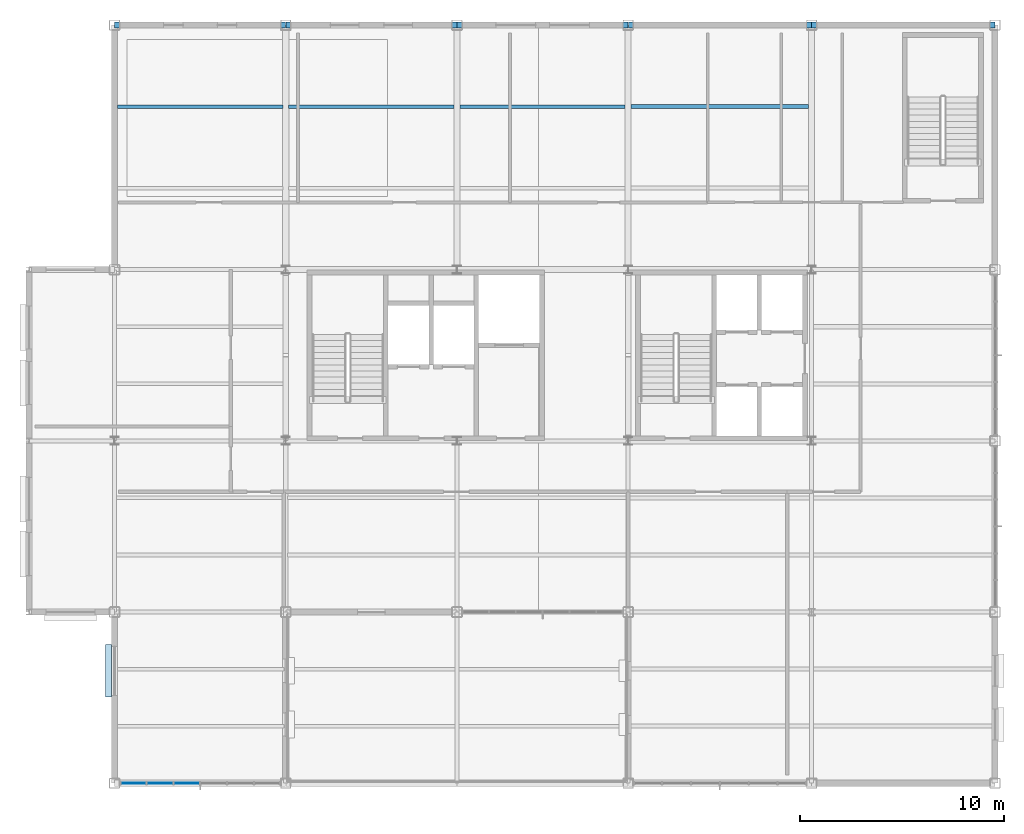
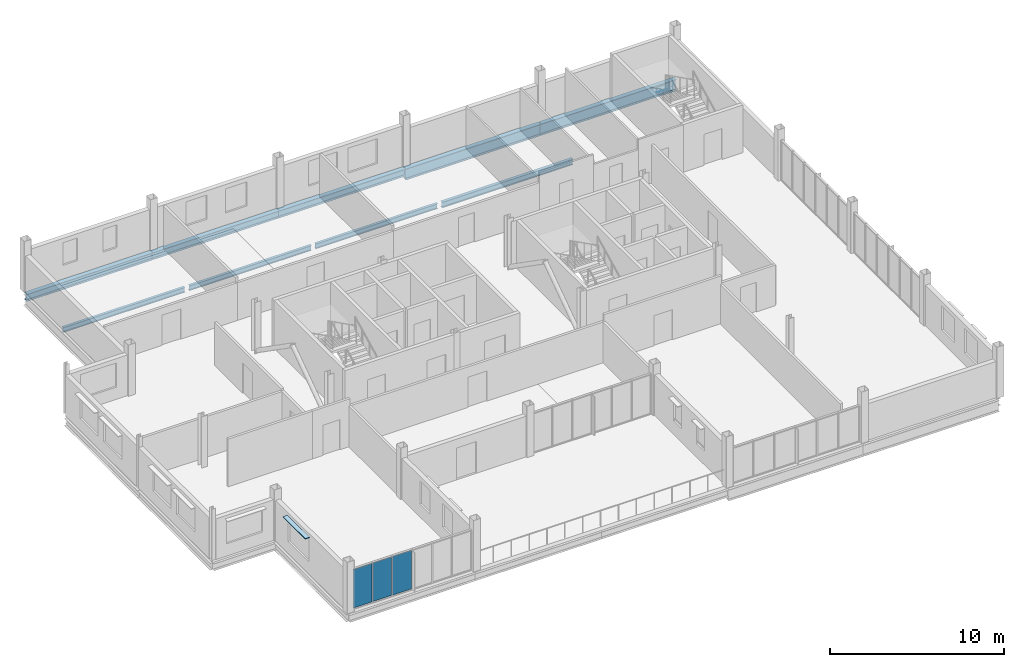
# One storey, part 9 of 20: 9 beams, 4 plates, 1 element without a shape of its own.
"""IFC4 building model written with IfcOpenShell, lengths in metres."""

import ifcopenshell
import ifcopenshell.guid

model = None  # the IFC model being written
_history = None  # IfcOwnerHistory: only IFC2X3 demands one
_inside = {}  # id of a spatial element -> (the spatial element, [elements in it])
_under = {}  # id of a project, library or spatial element -> (it, [spatial elements below it])
_declared = {}  # id of a project -> (the project, [libraries it declares])
_typed = {}  # id of a type object -> (the type object, [elements of that type])
_made_of = {}  # id of a material, layer set ... -> (it, [elements and type objects made of it])


def new_model(schema):
    """Start an empty IFC model of exactly this schema.

    Asked for "IFC4X3", IfcOpenShell would pick the latest addendum, in which some entities
    have other attributes; the version numbers below select the first issue.
    IFC2X3 requires an IfcOwnerHistory on every rooted entity: one is made here for all.
    """
    global model, _history
    if schema == "IFC4X3":
        model = ifcopenshell.file(schema_version=(4, 3, 0, 0))
    else:
        model = ifcopenshell.file(schema=schema)
    _inside.clear()
    _under.clear()
    _declared.clear()
    _typed.clear()
    _made_of.clear()
    _history = None
    if model.schema == "IFC2X3":
        org = make("IfcOrganization", Name="unknown")
        user = make(
            "IfcPersonAndOrganization",
            ThePerson=make("IfcPerson", FamilyName="unknown"),
            TheOrganization=org,
        )
        app = make(
            "IfcApplication",
            ApplicationDeveloper=org,
            Version="unknown",
            ApplicationFullName="unknown",
            ApplicationIdentifier="unknown",
        )
        _history = make(
            "IfcOwnerHistory",
            OwningUser=user,
            OwningApplication=app,
            ChangeAction="ADDED",
            CreationDate=0,
        )
    return model


def make(cls, **values):
    """One entity of the class cls with the attributes given. An attribute that is None is left unset."""
    return model.create_entity(
        cls, **{name: value for name, value in values.items() if value is not None}
    )


def rooted(cls, **values):
    """An entity with a GlobalId (a new one), such as an element, a storey or a relation."""
    return make(cls, GlobalId=ifcopenshell.guid.new(), OwnerHistory=_history, **values)


def si_unit(unit_type, name, prefix=None):
    """IfcSIUnit, for example si_unit("LENGTHUNIT", "METRE", prefix="MILLI")."""
    return make("IfcSIUnit", UnitType=unit_type, Prefix=prefix, Name=name)


def assignment(units):
    """IfcUnitAssignment: the units of a project."""
    return None if units is None else make("IfcUnitAssignment", Units=units)


def point(xyz):
    """IfcCartesianPoint."""
    return None if xyz is None else make("IfcCartesianPoint", Coordinates=xyz)


def direction(xyz):
    """IfcDirection."""
    return None if xyz is None else make("IfcDirection", DirectionRatios=xyz)


def frame(location, z_axis=None, x_axis=None):
    """IfcAxis2Placement3D, a coordinate frame: its origin and axes. An axis left out is left unset."""
    return make(
        "IfcAxis2Placement3D",
        Location=point(location),
        Axis=direction(z_axis),
        RefDirection=direction(x_axis),
    )


def frame_2d(location, x_axis=None):
    """IfcAxis2Placement2D, a coordinate frame in the plane: its origin and x axis."""
    return make(
        "IfcAxis2Placement2D", Location=point(location), RefDirection=direction(x_axis)
    )


def origin():
    """The frame at (0, 0, 0) with its axes left unset."""
    return frame((0.0, 0.0, 0.0))


def origin_2d():
    """The frame at (0, 0) in the plane with its x axis left unset."""
    return frame_2d((0.0, 0.0))


def place(relative_to, where):
    """IfcLocalPlacement: puts the frame where relative to a parent placement (None: the world)."""
    return make(
        "IfcLocalPlacement", PlacementRelTo=relative_to, RelativePlacement=where
    )


def context(
    kind, dimensions, precision=None, world=None, true_north=None, identifier=None
):
    """IfcGeometricRepresentationContext, for example the 3D "Model" context."""
    return make(
        "IfcGeometricRepresentationContext",
        ContextIdentifier=identifier,
        ContextType=kind,
        CoordinateSpaceDimension=dimensions,
        Precision=precision,
        WorldCoordinateSystem=world,
        TrueNorth=true_north,
    )


def subcontext(parent, identifier, kind, view, scale=None):
    """IfcGeometricRepresentationSubContext, for example "Body" below "Model"."""
    return make(
        "IfcGeometricRepresentationSubContext",
        ContextIdentifier=identifier,
        ContextType=kind,
        ParentContext=parent,
        TargetScale=scale,
        TargetView=view,
    )


def project(units=None, contexts=None):
    """IfcProject with its units and contexts."""
    return rooted(
        "IfcProject",
        Name="project",
        RepresentationContexts=contexts,
        UnitsInContext=assignment(units),
    )


def spatial(cls, under=None, at=None, **own):
    """A site, building, storey or space (cls), placed at a placement, below another one or the project."""
    s = rooted(cls, ObjectPlacement=at, **own)
    if under is not None:
        _under.setdefault(under.id(), (under, []))[1].append(s)
    return s


def profile(cls, at=None, kind="AREA", **sizes):
    """A parametric profile (cls). Its sizes go by their IFC names, for example OverallWidth=200.0."""
    return make(cls, ProfileType=kind, Position=at, **sizes)


def rectangle(**sizes):
    """IfcRectangleProfileDef."""
    return profile("IfcRectangleProfileDef", **sizes)


def i_section(**sizes):
    """IfcIShapeProfileDef."""
    return profile("IfcIShapeProfileDef", **sizes)


def extrude(swept, where, along, depth):
    """IfcExtrudedAreaSolid: the profile swept, set in the frame where, extruded along a direction by depth."""
    return make(
        "IfcExtrudedAreaSolid",
        SweptArea=swept,
        Position=where,
        ExtrudedDirection=direction(along),
        Depth=depth,
    )


def shape(context_of_items, identifier, shape_type, items):
    """IfcShapeRepresentation: the items that make up one representation, for example the "Body"."""
    return make(
        "IfcShapeRepresentation",
        ContextOfItems=context_of_items,
        RepresentationIdentifier=identifier,
        RepresentationType=shape_type,
        Items=items,
    )


def material(Name=None, Category=None):
    """IfcMaterial."""
    return make("IfcMaterial", Name=Name, Category=Category)


def layer(
    of_material, thickness, ventilated=None, Name=None, Category=None, Priority=None
):
    """IfcMaterialLayer: one layer of a wall or slab, of a material (None: an air gap)."""
    return make(
        "IfcMaterialLayer",
        Material=of_material,
        LayerThickness=thickness,
        IsVentilated=ventilated,
        Name=Name,
        Category=Category,
        Priority=Priority,
    )


def layer_set(layers, Name=None):
    """IfcMaterialLayerSet."""
    return make("IfcMaterialLayerSet", MaterialLayers=layers, LayerSetName=Name)


def material_profile(
    of_material, cross_section, Name=None, Category=None, Priority=None
):
    """IfcMaterialProfile: a cross section and its material."""
    return make(
        "IfcMaterialProfile",
        Name=Name,
        Material=of_material,
        Profile=cross_section,
        Priority=Priority,
        Category=Category,
    )


def profile_set(profiles, Name=None, composite=None):
    """IfcMaterialProfileSet."""
    return make(
        "IfcMaterialProfileSet",
        Name=Name,
        MaterialProfiles=profiles,
        CompositeProfile=composite,
    )


def made_of(thing, what):
    """Note that an element or type object is made of a material, layer set ...; save() writes the relation."""
    if what is not None:
        _made_of.setdefault(what.id(), (what, []))[1].append(thing)
    return thing


def type_object(cls, material=None, **own):
    """A type object (cls), such as IfcWallType, which elements share."""
    return made_of(rooted(cls, **own), material)


def element(
    cls,
    number,
    at=None,
    inside=None,
    cuts=None,
    type_object=None,
    material=None,
    context=None,
    identifier="Body",
    shape_type=None,
    held_by="IfcProductDefinitionShape",
    body=None,
    shapes=None,
    **own,
):
    """One element of the class cls, such as IfcWall. Its Tag is "e" and its number.

    at: its placement. inside: the storey or other place that contains it. cuts: it is an
    opening in that element (IfcRelVoidsElement). A single representation is given by context,
    identifier, shape_type and body (its items); several are given by shapes. held_by: the class
    of the entity that holds the representations. save() writes the other relations.
    """
    e = rooted(cls, Tag="e%d" % number, ObjectPlacement=at, **own)
    if body is not None:
        shapes = [shape(context, identifier, shape_type, body)]
    if shapes is not None:
        e.Representation = make(held_by, Representations=shapes)
    if inside is not None:
        _inside.setdefault(inside.id(), (inside, []))[1].append(e)
    if cuts is not None:
        rooted(
            "IfcRelVoidsElement", RelatingBuildingElement=cuts, RelatedOpeningElement=e
        )
    if type_object is not None:
        _typed.setdefault(type_object.id(), (type_object, []))[1].append(e)
    return made_of(e, material)


def aggregate(whole, parts):
    """IfcRelAggregates: a whole, such as a stair, and the parts it consists of."""
    return rooted("IfcRelAggregates", RelatingObject=whole, RelatedObjects=parts)


def save(model, path):
    """Write the relations noted so far, then the file.

    IfcRelAggregates (storeys below a building ...), IfcRelContainedInSpatialStructure (elements
    in a storey), IfcRelDefinesByType, IfcRelAssociatesMaterial and IfcRelDeclares: one each for
    every whole, place, type object, material and project.
    """
    for whole, parts in _under.values():
        aggregate(whole, parts)
    for where, things in _inside.values():
        rooted(
            "IfcRelContainedInSpatialStructure",
            RelatedElements=things,
            RelatingStructure=where,
        )
    for kind, things in _typed.values():
        rooted("IfcRelDefinesByType", RelatedObjects=things, RelatingType=kind)
    for what, things in _made_of.values():
        rooted("IfcRelAssociatesMaterial", RelatedObjects=things, RelatingMaterial=what)
    for by, libraries in _declared.values():
        rooted("IfcRelDeclares", RelatingContext=by, RelatedDefinitions=libraries)
    model.write(path)


model = new_model("IFC4")

# Units and contexts
model_context = context("Model", 3, precision=1e-05, world=origin(), true_north=direction((0.0, 1.0)))
body_context = subcontext(model_context, "Body", "Model", "MODEL_VIEW")
ifc_project = project(units=[si_unit("LENGTHUNIT", "METRE"), si_unit("AREAUNIT", "SQUARE_METRE"), si_unit("VOLUMEUNIT", "CUBIC_METRE"), si_unit("PLANEANGLEUNIT", "RADIAN"), si_unit("MASSUNIT", "GRAM", prefix="KILO")], contexts=[model_context])

# Site, building, storey
site_placement = place(None, origin())
site = spatial("IfcSite", under=ifc_project, at=site_placement, CompositionType="ELEMENT")
building_placement = place(site_placement, origin())
building = spatial("IfcBuilding", under=site, at=building_placement, Name="Yukiwa Park Conservatory and Herbarium", CompositionType="ELEMENT")
storey_placement = place(building_placement, frame((0.0, 0.0, 28.199951171875)))
storey = spatial("IfcBuildingStorey", under=building, at=storey_placement, Name="L07", CompositionType="ELEMENT", Elevation=28.199951171875)

# Beams
ifc_material_1 = material(Name="Steel Q355D", Category="steel")
ifc_material_profile_1 = material_profile(ifc_material_1, i_section(OverallWidth=0.175048828125, OverallDepth=0.35009765625, WebThickness=0.007080078125, FlangeThickness=0.010986328125, FilletRadius=0.013916015625, at=origin_2d()), Name="HN 350x175x7x11")
ifc_profile_set_1 = profile_set([ifc_material_profile_1], Name="Steel Q355D")
beam_type_1 = type_object("IfcBeamType", Name="BM-JST-HN350", PredefinedType="JOIST", material=ifc_profile_set_1)
beam_1_placement = place(storey_placement, frame((124.946044921875, 111.199951171875, -0.429931640625), z_axis=(1.0, 0.0, 0.0), x_axis=(0.0, 1.0, 0.0)))
element("IfcBeam", 1, at=beam_1_placement, inside=storey, type_object=beam_type_1, Name="L07 composite floor joist 8", PredefinedType="JOIST", context=body_context, shape_type="SweptSolid", body=[
    extrude(i_section(OverallWidth=0.175048828125, OverallDepth=0.35009765625, WebThickness=0.007080078125, FlangeThickness=0.010986328125, FilletRadius=0.013916015625, at=origin_2d()), origin(), (0.0, 0.0, 1.0), 8.10791015625),
])
beam_2_placement = place(storey_placement, frame((133.345947265625, 111.199951171875, -0.429931640625), z_axis=(1.0, 0.0, 0.0), x_axis=(0.0, 1.0, 0.0)))
element("IfcBeam", 2, at=beam_2_placement, inside=storey, type_object=beam_type_1, Name="L07 composite floor joist 14", PredefinedType="JOIST", context=body_context, shape_type="SweptSolid", body=[
    extrude(i_section(OverallWidth=0.175048828125, OverallDepth=0.35009765625, WebThickness=0.007080078125, FlangeThickness=0.010986328125, FilletRadius=0.013916015625, at=origin_2d()), origin(), (0.0, 0.0, 1.0), 8.108154296875),
])
beam_3_placement = place(storey_placement, frame((141.74609375, 111.199951171875, -0.429931640625), z_axis=(1.0, 0.0, 0.0), x_axis=(0.0, 1.0, 0.0)))
element("IfcBeam", 3, at=beam_3_placement, inside=storey, type_object=beam_type_1, Name="L07 composite floor joist 20", PredefinedType="JOIST", context=body_context, shape_type="SweptSolid", body=[
    extrude(i_section(OverallWidth=0.175048828125, OverallDepth=0.35009765625, WebThickness=0.007080078125, FlangeThickness=0.010986328125, FilletRadius=0.013916015625, at=origin_2d()), origin(), (0.0, 0.0, 1.0), 8.10791015625),
])
ifc_material_2 = material(Name="Steel Q355D", Category="steel")
ifc_material_profile_2 = material_profile(ifc_material_2, i_section(OverallWidth=0.199951171875, OverallDepth=0.39990234375, WebThickness=0.008056640625, FlangeThickness=0.012939453125, FilletRadius=0.01611328125, at=origin_2d()), Name="HN 400x200x8x13")
ifc_profile_set_2 = profile_set([ifc_material_profile_2], Name="Steel Q355D")
beam_type_2 = type_object("IfcBeamType", Name="BM-JST-HN400", PredefinedType="JOIST", material=ifc_profile_set_2)
beam_4_placement = place(storey_placement, frame((150.14599609375, 111.199951171875, -0.454833984375), z_axis=(1.0, 0.0, 0.0), x_axis=(0.0, 1.0, 0.0)))
element("IfcBeam", 4, at=beam_4_placement, inside=storey, type_object=beam_type_2, Name="L07 composite floor joist 26", PredefinedType="JOIST", context=body_context, shape_type="SweptSolid", body=[
    extrude(i_section(OverallWidth=0.199951171875, OverallDepth=0.39990234375, WebThickness=0.008056640625, FlangeThickness=0.012939453125, FilletRadius=0.01611328125, at=origin_2d()), origin(), (0.0, 0.0, 1.0), 8.7080078125),
])
ifc_material_3 = material(Name="Steel Q355D", Category="steel")
ifc_material_profile_3 = material_profile(ifc_material_3, i_section(OverallWidth=0.300048828125, OverallDepth=0.5, WebThickness=0.010986328125, FlangeThickness=0.01806640625, FilletRadius=0.02392578125, at=origin_2d()), Name="HM 500x300x11x18")
ifc_profile_set_3 = profile_set([ifc_material_profile_3], Name="Steel Q355D")
beam_type_3 = type_object("IfcBeamType", Name="BM-SPN-HN500", PredefinedType="SPANDREL", material=ifc_profile_set_3)
beam_5_placement = place(storey_placement, frame((124.805908203125, 115.199951171875, -0.5048828125), z_axis=(1.0, 0.0, 0.0), x_axis=(0.0, 1.0, 0.0)))
element("IfcBeam", 5, at=beam_5_placement, inside=storey, type_object=beam_type_3, Name="L07 spandrel beam X-24", PredefinedType="SPANDREL", context=body_context, shape_type="SweptSolid", body=[
    extrude(i_section(OverallWidth=0.300048828125, OverallDepth=0.5, WebThickness=0.010986328125, FlangeThickness=0.01806640625, FilletRadius=0.02392578125, at=origin_2d()), origin(), (0.0, 0.0, 1.0), 8.38818359375),
])
for number, where, z_axis, x_axis, name in (
    (6, (133.2060546875, 115.199951171875, -0.5048828125), (1.0, 0.0, 0.0), (0.0, 1.0, 0.0), "L07 spandrel beam X-25"),
    (7, (141.60595703125, 115.199951171875, -0.5048828125), (1.0, 0.0, 0.0), (0.0, 1.0, 0.0), "L07 spandrel beam X-26"),
):
    element("IfcBeam", number, at=place(storey_placement, frame(where, z_axis=z_axis, x_axis=x_axis)), inside=storey, type_object=beam_type_3, Name=name, PredefinedType="SPANDREL", context=body_context, shape_type="SweptSolid", body=[
        extrude(i_section(OverallWidth=0.300048828125, OverallDepth=0.5, WebThickness=0.010986328125, FlangeThickness=0.01806640625, FilletRadius=0.02392578125, at=origin_2d()), origin(), (0.0, 0.0, 1.0), 8.387939453125),
    ])
ifc_material_4 = material(Name="Steel Q355D", Category="steel")
ifc_material_profile_4 = material_profile(ifc_material_4, i_section(OverallWidth=0.300048828125, OverallDepth=0.7919921875, WebThickness=0.013916015625, FlangeThickness=0.02197265625, FilletRadius=0.028076171875, at=origin_2d()), Name="HN 792x300x14x22")
ifc_profile_set_4 = profile_set([ifc_material_profile_4], Name="Steel Q355D")
beam_type_4 = type_object("IfcBeamType", Name="BM-SPN-HN600", PredefinedType="SPANDREL", material=ifc_profile_set_4)
for number, where, z_axis, x_axis, name in (
    (8, (150.006103515625, 115.199951171875, -0.65087890625), (1.0, 0.0, 0.0), (0.0, 1.0, 0.0), "L07 spandrel beam X-27"),
    (9, (159.006103515625, 115.199951171875, -0.65087890625), (1.0, 0.0, 0.0), (0.0, 1.0, 0.0), "L07 spandrel beam X-28"),
):
    element("IfcBeam", number, at=place(storey_placement, frame(where, z_axis=z_axis, x_axis=x_axis)), inside=storey, type_object=beam_type_4, Name=name, PredefinedType="SPANDREL", context=body_context, shape_type="SweptSolid", body=[
        extrude(i_section(OverallWidth=0.300048828125, OverallDepth=0.7919921875, WebThickness=0.013916015625, FlangeThickness=0.02197265625, FilletRadius=0.028076171875, at=origin_2d()), origin(), (0.0, 0.0, 1.0), 8.98779296875),
    ])

# Curtain wall, plates
ifc_material_5 = material(Name="Triple Low-E Insulated Glass", Category="glass")
ifc_layer_1 = layer(ifc_material_5, 0.248046875)
ifc_layer_set_1 = layer_set([ifc_layer_1], Name="Triple Low-E Insulated Glass")
curtain_wall_type = type_object("IfcCurtainWallType", Name="CW-TOWER-LAB-S-1400", PredefinedType="NOTDEFINED", material=ifc_layer_set_1)
curtain_wall_placement = place(storey_placement, origin())
curtain_wall = element("IfcCurtainWall", 10, at=curtain_wall_placement, inside=storey, type_object=curtain_wall_type, Name="L07 unitised curtain wall CW-L07-088", PredefinedType="NOTDEFINED")
ifc_material_6 = material(Name="Triple Low-E Insulated Glass", Category="glass")
ifc_layer_2 = layer(ifc_material_6, 0.035888671875)
ifc_layer_set_2 = layer_set([ifc_layer_2], Name="Triple Low-E Insulated Glass")
plate_type_1 = type_object("IfcPlateType", Name="PL-CW-GLZ-36", PredefinedType="CURTAIN_PANEL", material=ifc_layer_set_2)
plate_1_placement = place(storey_placement, frame((125.708251953125, 78.0, 0.070068359375), z_axis=(0.0, 0.0, 1.0), x_axis=(1.0, 0.0, 0.0)))
plate_1 = element("IfcPlate", 11, at=plate_1_placement, type_object=plate_type_1, Name="CW-L07-088 vision panel 1.1", PredefinedType="CURTAIN_PANEL", context=body_context, shape_type="SweptSolid", body=[
    extrude(rectangle(XDim=1.24658203125, YDim=0.035888671875, at=origin_2d()), origin(), (0.0, 0.0, 1.0), 2.7119140625),
])
plate_2_placement = place(storey_placement, frame((127.02490234375, 78.0, 0.070068359375), z_axis=(0.0, 0.0, 1.0), x_axis=(1.0, 0.0, 0.0)))
plate_2 = element("IfcPlate", 12, at=plate_2_placement, type_object=plate_type_1, Name="CW-L07-088 vision panel 2.1", PredefinedType="CURTAIN_PANEL", context=body_context, shape_type="SweptSolid", body=[
    extrude(rectangle(XDim=1.24658203125, YDim=0.035888671875, at=origin_2d()), origin(), (0.0, 0.0, 1.0), 2.7119140625),
])
plate_3_placement = place(storey_placement, frame((128.341796875, 78.0, 0.070068359375), z_axis=(0.0, 0.0, 1.0), x_axis=(1.0, 0.0, 0.0)))
plate_3 = element("IfcPlate", 13, at=plate_3_placement, type_object=plate_type_1, Name="CW-L07-088 vision panel 3.1", PredefinedType="CURTAIN_PANEL", context=body_context, shape_type="SweptSolid", body=[
    extrude(rectangle(XDim=1.24658203125, YDim=0.035888671875, at=origin_2d()), origin(), (0.0, 0.0, 1.0), 2.7119140625),
])
aggregate(curtain_wall, [plate_1, plate_2, plate_3])

# Plate
ifc_material_7 = material(Name="Anodised Aluminium", Category="aluminium")
ifc_layer_3 = layer(ifc_material_7, 0.0400390625)
ifc_layer_set_3 = layer_set([ifc_layer_3], Name="Anodised Aluminium")
plate_type_2 = type_object("IfcPlateType", Name="PL-SHADE-ALU-40", PredefinedType="SHEET", material=ifc_layer_set_3)
plate_4_placement = place(storey_placement, frame((124.510009765625, 83.51708984375, 2.590087890625), z_axis=(0.0, 0.0, 1.0), x_axis=(0.0, -1.0, 0.0)))
element("IfcPlate", 14, at=plate_4_placement, inside=storey, type_object=plate_type_2, Name="L07 snow-shedding window hood 154", PredefinedType="SHEET", context=body_context, shape_type="SweptSolid", body=[
    extrude(rectangle(XDim=2.56005859375, YDim=0.300048828125, at=origin_2d()), origin(), (0.0, 0.0, 1.0), 0.0400390625),
])

save(model, "model.ifc")
